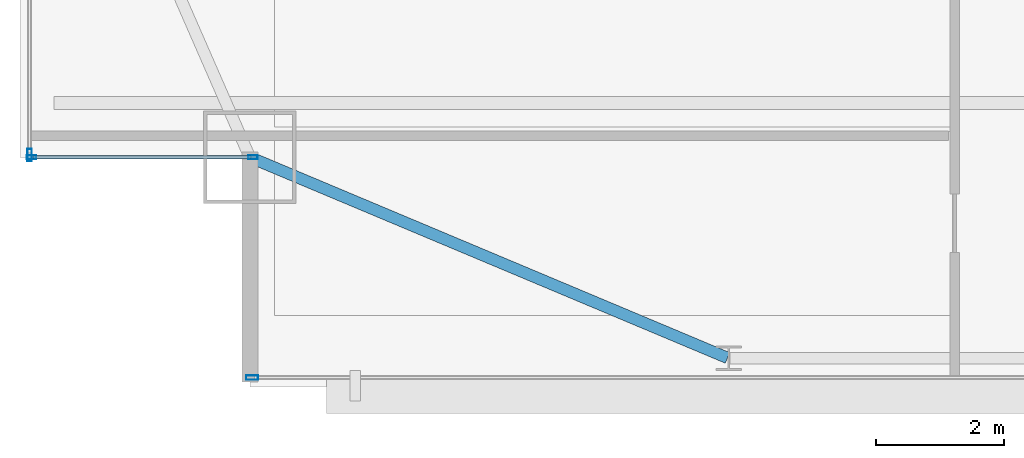
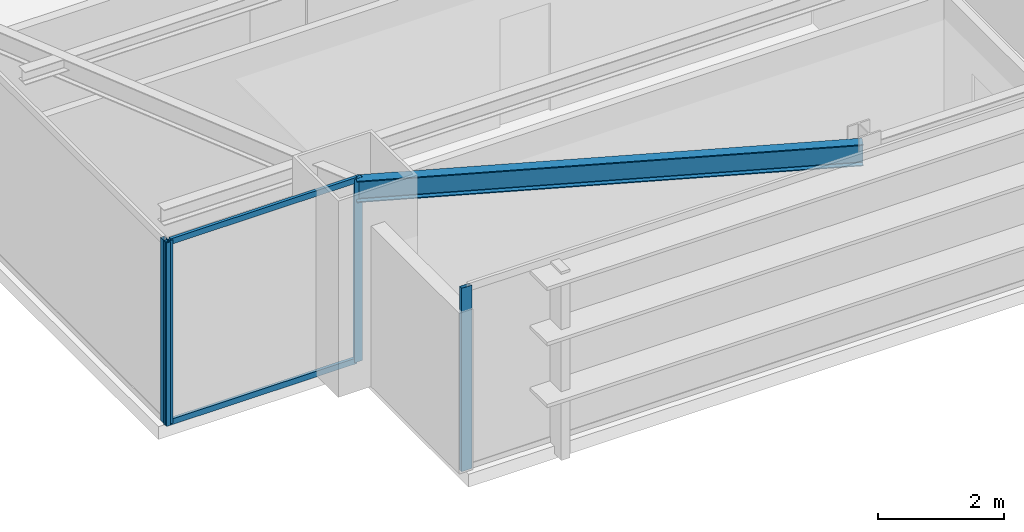
# One storey, part 4 of 32: 6 members, 1 beam, 3 elements without a shape of their own.
"""IFC4 building model written with IfcOpenShell, lengths in metres."""

from ifc_helpers import new_model, si_unit, direction, frame, origin, origin_2d, place, context, subcontext, project, spatial, hollow_rectangle, i_section, extrude, source, transform, mapped, material, layer, layer_set, material_profile, profile_set, type_object, type_shapes, element, aggregate, save


model = new_model("IFC4")

# Units and contexts
model_context = context("Model", 3, precision=1e-05, world=origin(), true_north=direction((0.0, 1.0)))
body_context = subcontext(model_context, "Body", "Model", "MODEL_VIEW")
ifc_project = project(units=[si_unit("LENGTHUNIT", "METRE"), si_unit("AREAUNIT", "SQUARE_METRE"), si_unit("VOLUMEUNIT", "CUBIC_METRE"), si_unit("PLANEANGLEUNIT", "RADIAN"), si_unit("MASSUNIT", "GRAM", prefix="KILO")], contexts=[model_context])

# Site, building, storey
site_placement = place(None, origin())
site = spatial("IfcSite", under=ifc_project, at=site_placement, CompositionType="ELEMENT")
building_placement = place(site_placement, origin())
building = spatial("IfcBuilding", under=site, at=building_placement, Name="Varnel Quay Broadcast Tower", CompositionType="ELEMENT")
storey_placement = place(building_placement, frame((0.0, 0.0, 90.800048828125)))
storey = spatial("IfcBuildingStorey", under=building, at=storey_placement, Name="L21", CompositionType="ELEMENT", Elevation=90.800048828125)

# Beam
ifc_material_1 = material(Name="Structural Steel CSA G40.21 350W", Category="steel")
ifc_material_profile_1 = material_profile(ifc_material_1, i_section(OverallWidth=0.180908203125, OverallDepth=0.4169921875, WebThickness=0.010986328125, FlangeThickness=0.018310546875, FilletRadius=0.011962890625, at=origin_2d()), Name="W410X85")
ifc_profile_set_1 = profile_set([ifc_material_profile_1], Name="Structural Steel CSA G40.21 350W")
beam_type = type_object("IfcBeamType", Name="Beam_W410X85", PredefinedType="SPANDREL", material=ifc_profile_set_1)
shared_shape_1 = source(origin(), body_context, "Body", "SweptSolid", [
    extrude(i_section(OverallWidth=0.180908203125, OverallDepth=0.4169921875, WebThickness=0.010986328125, FlangeThickness=0.018310546875, FilletRadius=0.011962890625, at=origin_2d()), origin(), (0.0, 0.0, 1.0), 8.0947265625),
])
type_shapes(beam_type, [shared_shape_1])
beam_placement = place(storey_placement, frame((8.118408203125, 7.792236328125, 3.341552734375), z_axis=(0.921981890247, -0.387232997117, 0.0), x_axis=(0.387232997117, 0.921981890247, 0.0)))
element("IfcBeam", 1, at=beam_placement, inside=storey, type_object=beam_type, Name="L21 South Spandrel MC-SW-TC-S1", PredefinedType="SPANDREL", context=body_context, shape_type="MappedRepresentation", body=[
    mapped(shared_shape_1, transform((0.0, 0.0, 0.0), x_axis=(1.0, 0.0, 0.0), y_axis=(0.0, 1.0, 0.0), z_axis=(0.0, 0.0, 1.0), scale=1.0)),
])

# Curtain wall, members
ifc_material_2 = material(Name="Anodised Bronze Aluminium 6063-T6", Category="aluminium")
ifc_layer_1 = layer(ifc_material_2, 0.18994140625, Name="Anodised Bronze Aluminium 6063-T6")
ifc_layer_set_1 = layer_set([ifc_layer_1], Name="Anodised Bronze Aluminium 6063-T6")
curtain_wall_type_1 = type_object("IfcCurtainWallType", Name="CW_NotchCorner", PredefinedType="NOTDEFINED", material=ifc_layer_set_1)
curtain_wall_1_placement = place(storey_placement, origin())
curtain_wall_1 = element("IfcCurtainWall", 2, at=curtain_wall_1_placement, inside=storey, type_object=curtain_wall_type_1, Name="L21 SW Notch Curtain Wall", PredefinedType="NOTDEFINED")
ifc_material_profile_2 = material_profile(ifc_material_2, hollow_rectangle(XDim=0.054931640625, YDim=0.110107421875, WallThickness=0.0029296875, at=origin_2d()), Name="ALU55X110X3")
ifc_profile_set_2 = profile_set([ifc_material_profile_2], Name="Anodised Bronze Aluminium 6063-T6")
member_type_1 = type_object("IfcMemberType", Name="Tran_CWS-04", PredefinedType="USERDEFINED", material=ifc_profile_set_2)
shared_shape_2 = source(origin(), body_context, "Body", "SweptSolid", [
    extrude(hollow_rectangle(XDim=0.054931640625, YDim=0.110107421875, WallThickness=0.0029296875, at=origin_2d()), origin(), (0.0, 0.0, 1.0), 3.41015625),
])
type_shapes(member_type_1, [shared_shape_2])
member_1_placement = place(storey_placement, frame((4.7099609375, 7.800048828125, 0.02734375), z_axis=(1.0, 0.0, 0.0), x_axis=(0.0, 1.0, 0.0)))
member_1 = element("IfcMember", 3, at=member_1_placement, type_object=member_type_1, Name="CWS-04 transom 1.1", ObjectType="TRANSOM", PredefinedType="USERDEFINED", context=body_context, shape_type="MappedRepresentation", body=[
    mapped(shared_shape_2, transform((0.0, 0.0, 0.0), x_axis=(1.0, 0.0, 0.0), y_axis=(0.0, 1.0, 0.0), z_axis=(0.0, 0.0, 1.0), scale=1.0)),
])
member_2_placement = place(storey_placement, frame((4.7099609375, 7.800048828125, 3.5224609375), z_axis=(1.0, 0.0, 0.0), x_axis=(0.0, 1.0, 0.0)))
member_2 = element("IfcMember", 4, at=member_2_placement, type_object=member_type_1, Name="CWS-04 transom 1.2", ObjectType="TRANSOM", PredefinedType="USERDEFINED", context=body_context, shape_type="MappedRepresentation", body=[
    mapped(shared_shape_2, transform((0.0, 0.0, 0.0), x_axis=(1.0, 0.0, 0.0), y_axis=(0.0, 1.0, 0.0), z_axis=(0.0, 0.0, 1.0), scale=1.0)),
])

# Curtain wall, member
ifc_layer_2 = layer(ifc_material_2, 0.18994140625, Name="Anodised Bronze Aluminium 6063-T6")
ifc_layer_set_2 = layer_set([ifc_layer_2], Name="Anodised Bronze Aluminium 6063-T6")
curtain_wall_type_2 = type_object("IfcCurtainWallType", Name="CW_LowerTower", PredefinedType="NOTDEFINED", material=ifc_layer_set_2)
curtain_wall_2_placement = place(storey_placement, origin())
curtain_wall_2 = element("IfcCurtainWall", 5, at=curtain_wall_2_placement, inside=storey, type_object=curtain_wall_type_2, Name="L21 South Unitised Curtain Wall 1", PredefinedType="NOTDEFINED")
ifc_material_profile_3 = material_profile(ifc_material_2, hollow_rectangle(XDim=0.070068359375, YDim=0.18994140625, WallThickness=0.00390625, at=origin_2d()), Name="ALU70X190X4")
ifc_profile_set_3 = profile_set([ifc_material_profile_3], Name="Anodised Bronze Aluminium 6063-T6")
member_type_2 = type_object("IfcMemberType", Name="Mull_CWS-02", PredefinedType="MULLION", material=ifc_profile_set_3)
shared_shape_3 = source(origin(), body_context, "Body", "SweptSolid", [
    extrude(hollow_rectangle(XDim=0.070068359375, YDim=0.18994140625, WallThickness=0.00390625, at=origin_2d()), origin(), (0.0, 0.0, 1.0), 3.550048828125),
])
type_shapes(member_type_2, [shared_shape_3])
member_3_placement = place(storey_placement, frame((8.135009765625, 4.35009765625, 0.0), z_axis=(0.0, 0.0, 1.0), x_axis=(0.0, 1.0, 0.0)))
member_3 = element("IfcMember", 6, at=member_3_placement, type_object=member_type_2, Name="CWS-02 mullion 1", PredefinedType="MULLION", context=body_context, shape_type="MappedRepresentation", body=[
    mapped(shared_shape_3, transform((0.0, 0.0, 0.0), x_axis=(1.0, 0.0, 0.0), y_axis=(0.0, 1.0, 0.0), z_axis=(0.0, 0.0, 1.0), scale=1.0)),
])
aggregate(curtain_wall_2, [member_3])

curtain_wall_3_placement = place(storey_placement, origin())
curtain_wall_3 = element("IfcCurtainWall", 7, at=curtain_wall_3_placement, inside=storey, type_object=curtain_wall_type_2, Name="L21 West Unitised Curtain Wall", PredefinedType="NOTDEFINED")
member_4_placement = place(storey_placement, frame((4.64990234375, 7.8349609375, 0.0), z_axis=(0.0, 0.0, 1.0), x_axis=(-1.0, 0.0, 0.0)))
member_4 = element("IfcMember", 8, at=member_4_placement, type_object=member_type_2, Name="CWS-02 mullion 1", PredefinedType="MULLION", context=body_context, shape_type="MappedRepresentation", body=[
    mapped(shared_shape_3, transform((0.0, 0.0, 0.0), x_axis=(1.0, 0.0, 0.0), y_axis=(0.0, 1.0, 0.0), z_axis=(0.0, 0.0, 1.0), scale=1.0)),
])
aggregate(curtain_wall_3, [member_4])

# Member
ifc_material_profile_4 = material_profile(ifc_material_2, hollow_rectangle(XDim=0.06005859375, YDim=0.14501953125, WallThickness=0.00341796875, at=origin_2d()), Name="ALU60X145X3.5")
ifc_profile_set_4 = profile_set([ifc_material_profile_4], Name="Anodised Bronze Aluminium 6063-T6")
member_type_3 = type_object("IfcMemberType", Name="Mull_CWS-04", PredefinedType="MULLION", material=ifc_profile_set_4)
shared_shape_4 = source(origin(), body_context, "Body", "SweptSolid", [
    extrude(hollow_rectangle(XDim=0.06005859375, YDim=0.14501953125, WallThickness=0.00341796875, at=origin_2d()), origin(), (0.0, 0.0, 1.0), 3.550048828125),
])
type_shapes(member_type_3, [shared_shape_4])
member_5_placement = place(storey_placement, frame((4.679931640625, 7.800048828125, 0.0), z_axis=(0.0, 0.0, 1.0), x_axis=(0.0, 1.0, 0.0)))
member_5 = element("IfcMember", 9, at=member_5_placement, type_object=member_type_3, Name="CWS-04 mullion 1", PredefinedType="MULLION", context=body_context, shape_type="MappedRepresentation", body=[
    mapped(shared_shape_4, transform((0.0, 0.0, 0.0), x_axis=(1.0, 0.0, 0.0), y_axis=(0.0, 1.0, 0.0), z_axis=(0.0, 0.0, 1.0), scale=1.0)),
])

member_6_placement = place(storey_placement, frame((8.14990234375, 7.800048828125, 0.0), z_axis=(0.0, 0.0, 1.0), x_axis=(0.0, 1.0, 0.0)))
member_6 = element("IfcMember", 10, at=member_6_placement, type_object=member_type_3, Name="CWS-04 mullion 2", PredefinedType="MULLION", context=body_context, shape_type="MappedRepresentation", body=[
    mapped(shared_shape_4, transform((0.0, 0.0, 0.0), x_axis=(1.0, 0.0, 0.0), y_axis=(0.0, 1.0, 0.0), z_axis=(0.0, 0.0, 1.0), scale=1.0)),
])

aggregate(curtain_wall_1, [member_5, member_6, member_1, member_2])

save(model, "model.ifc")
